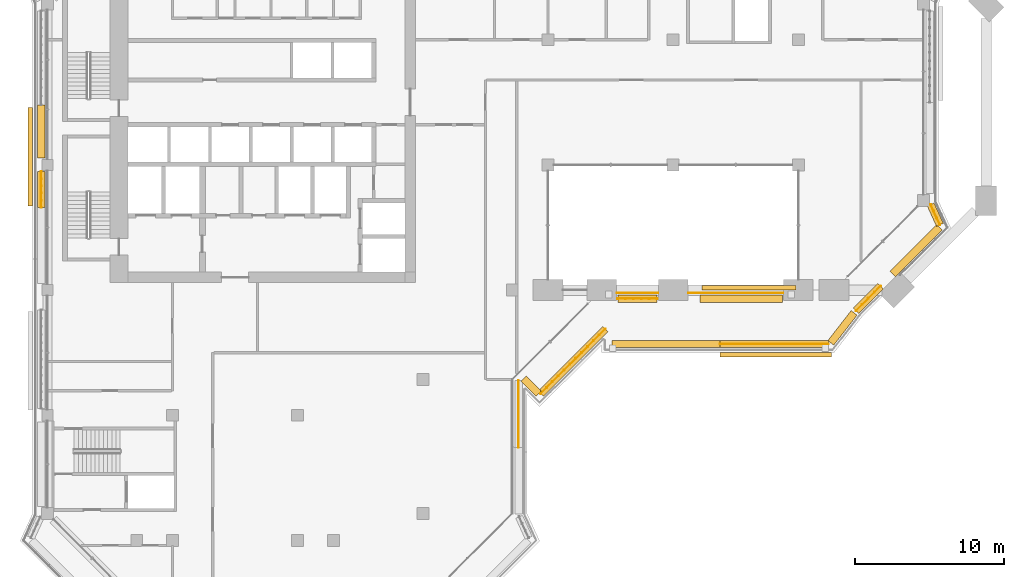
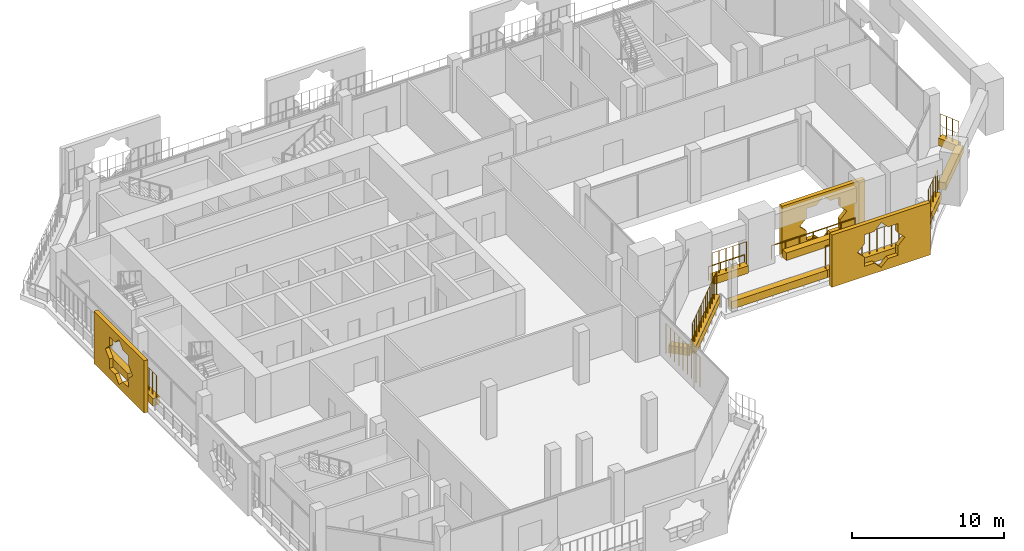
# One storey, part 19 of 23: 15 coverings, 9 railings.
"""IFC4 building model written with IfcOpenShell, lengths in metres."""

from ifc_helpers import new_model, si_unit, direction, frame, origin, origin_2d, place, context, subcontext, project, spatial, polyline, rectangle, circle, outline, extrude, material, material_profile, profile_set, type_object, element, save


model = new_model("IFC4")

# Units and contexts
model_context = context("Model", 3, precision=1e-05, world=origin(), true_north=direction((0.0, 1.0)))
body_context = subcontext(model_context, "Body", "Model", "MODEL_VIEW")
ifc_project = project(units=[si_unit("LENGTHUNIT", "METRE"), si_unit("AREAUNIT", "SQUARE_METRE"), si_unit("VOLUMEUNIT", "CUBIC_METRE"), si_unit("PLANEANGLEUNIT", "RADIAN"), si_unit("MASSUNIT", "GRAM", prefix="KILO")], contexts=[model_context])

# Site, building, storey
site_placement = place(None, origin())
site = spatial("IfcSite", under=ifc_project, at=site_placement, CompositionType="ELEMENT")
building_placement = place(site_placement, origin())
building = spatial("IfcBuilding", under=site, at=building_placement, Name="Kawkab Arch Medical Tower", CompositionType="ELEMENT")
storey_placement = place(building_placement, frame((0.0, 0.0, 281.800048828125)))
storey = spatial("IfcBuildingStorey", under=building, at=storey_placement, Name="L65", CompositionType="ELEMENT", Elevation=281.800048828125)

# Railings
ifc_material_1 = material(Name="Bronze anodised aluminium guard", Category="aluminium")
railing_type_1 = type_object("IfcRailingType", Name="Loggia and terrace guard 1100", PredefinedType="GUARDRAIL", material=ifc_material_1)
railing_1_placement = place(storey_placement, frame((38.22998046875, -25.39990234375, 0.0)))
element("IfcRailing", 1, at=railing_1_placement, inside=storey, type_object=railing_type_1, Name="Guard L65.LOG-01.1.1", PredefinedType="GUARDRAIL", context=body_context, shape_type="SweptSolid", body=[
    extrude(circle(Radius=0.02392578125, at=origin_2d()), frame((0.0, 0.0, 1.076171875), z_axis=(1.0, 0.0, 0.0), x_axis=(0.0, 1.0, 0.0)), (0.0, 0.0, 1.0), 2.739990234375),
    extrude(circle(Radius=0.02099609375, at=origin_2d()), origin(), (0.0, 0.0, 1.0), 1.052001953125),
    extrude(circle(Radius=0.02099609375, at=origin_2d()), frame((0.913330078125, 0.0, 0.0)), (0.0, 0.0, 1.0), 1.052001953125),
    extrude(circle(Radius=0.02099609375, at=origin_2d()), frame((1.82666015625, 0.0, 0.0)), (0.0, 0.0, 1.0), 1.052001953125),
    extrude(circle(Radius=0.02099609375, at=origin_2d()), frame((2.739990234375, 0.0, 0.0)), (0.0, 0.0, 1.0), 1.052001953125),
])
railing_2_placement = place(storey_placement, frame((43.030029296875, -25.39990234375, 0.0)))
element("IfcRailing", 2, at=railing_2_placement, inside=storey, type_object=railing_type_1, Name="Guard L65.LOG-01.1.2", PredefinedType="GUARDRAIL", context=body_context, shape_type="SweptSolid", body=[
    extrude(circle(Radius=0.02392578125, at=origin_2d()), frame((0.0, 0.0, 1.076171875), z_axis=(1.0, 0.0, 0.0), x_axis=(0.0, 1.0, 0.0)), (0.0, 0.0, 1.0), 6.340087890625),
    extrude(circle(Radius=0.02099609375, at=origin_2d()), origin(), (0.0, 0.0, 1.0), 1.052001953125),
    extrude(circle(Radius=0.02099609375, at=origin_2d()), frame((1.056640625, 0.0, 0.0)), (0.0, 0.0, 1.0), 1.052001953125),
    extrude(circle(Radius=0.02099609375, at=origin_2d()), frame((2.11328125, 0.0, 0.0)), (0.0, 0.0, 1.0), 1.052001953125),
    extrude(circle(Radius=0.02099609375, at=origin_2d()), frame((3.169921875, 0.0, 0.0)), (0.0, 0.0, 1.0), 1.052001953125),
    extrude(circle(Radius=0.02099609375, at=origin_2d()), frame((4.226806640625, 0.0, 0.0)), (0.0, 0.0, 1.0), 1.052001953125),
    extrude(circle(Radius=0.02099609375, at=origin_2d()), frame((5.283447265625, 0.0, 0.0)), (0.0, 0.0, 1.0), 1.052001953125),
    extrude(circle(Radius=0.02099609375, at=origin_2d()), frame((6.340087890625, 0.0, 0.0)), (0.0, 0.0, 1.0), 1.052001953125),
])

# Coverings
ifc_material_2 = material(Name="Bronze anodised aluminium mashrabiya panel, eight-point star pattern", Category="aluminium")
ifc_material_profile_1 = material_profile(ifc_material_2, outline(polyline([(-3.14990234375, -2.10009765625), (3.14990234375, -2.10009765625), (3.14990234375, 2.10009765625), (-3.14990234375, 2.10009765625), (-3.14990234375, -2.10009765625)]), holes=[polyline([(1.800048828125, 0.0), (1.272705078125, 0.527099609375), (1.272705078125, 1.272705078125), (0.527099609375, 1.272705078125), (0.0, 1.800048828125), (-0.527099609375, 1.272705078125), (-1.272705078125, 1.272705078125), (-1.272705078125, 0.527099609375), (-1.800048828125, 0.0), (-1.272705078125, -0.527099609375), (-1.272705078125, -1.272705078125), (-0.527099609375, -1.272705078125), (0.0, -1.800048828125), (0.527099609375, -1.272705078125), (1.272705078125, -1.272705078125), (1.272705078125, -0.527099609375), (1.800048828125, 0.0)])]), Name="Mashrabiya panel 6300x4200")
ifc_profile_set_1 = profile_set([ifc_material_profile_1], Name="Bronze anodised aluminium mashrabiya panel, eight-point star pattern")
covering_type_1 = type_object("IfcCoveringType", Name="Mashrabiya panel 6300 x 4200", PredefinedType="USERDEFINED", material=ifc_profile_set_1)
covering_1_placement = place(storey_placement, frame((47.0849609375, -25.199951171875, 1.699951171875), z_axis=(0.0, 1.0, 0.0), x_axis=(-1.0, 0.0, 0.0)))
element("IfcCovering", 3, at=covering_1_placement, inside=storey, type_object=covering_type_1, Name="Mashrabiya panel L65.LOG-01-01.1", ObjectType="SCREEN", PredefinedType="USERDEFINED", context=body_context, shape_type="SweptSolid", body=[
    extrude(outline(polyline([(-3.14990234375, -2.10009765625), (3.14990234375, -2.10009765625), (3.14990234375, 2.10009765625), (-3.14990234375, 2.10009765625), (-3.14990234375, -2.10009765625)]), holes=[polyline([(1.800048828125, 0.0), (1.272705078125, 0.527099609375), (1.272705078125, 1.272705078125), (0.527099609375, 1.272705078125), (0.0, 1.800048828125), (-0.527099609375, 1.272705078125), (-1.272705078125, 1.272705078125), (-1.272705078125, 0.527099609375), (-1.800048828125, 0.0), (-1.272705078125, -0.527099609375), (-1.272705078125, -1.272705078125), (-0.527099609375, -1.272705078125), (0.0, -1.800048828125), (0.527099609375, -1.272705078125), (1.272705078125, -1.272705078125), (1.272705078125, -0.527099609375), (1.800048828125, 0.0)])]), origin(), (0.0, 0.0, 1.0), 0.300048828125),
])
ifc_material_3 = material(Name="Bronze anodised aluminium mashrabiya panel, eight-point star pattern", Category="aluminium")
ifc_material_profile_2 = material_profile(ifc_material_3, outline(polyline([(-3.300048828125, -2.10009765625), (3.300048828125, -2.10009765625), (3.300048828125, 2.10009765625), (-3.300048828125, 2.10009765625), (-3.300048828125, -2.10009765625)]), holes=[polyline([(1.800048828125, 0.0), (1.272705078125, 0.527099609375), (1.272705078125, 1.272705078125), (0.527099609375, 1.272705078125), (0.0, 1.800048828125), (-0.527099609375, 1.272705078125), (-1.272705078125, 1.272705078125), (-1.272705078125, 0.527099609375), (-1.800048828125, 0.0), (-1.272705078125, -0.527099609375), (-1.272705078125, -1.272705078125), (-0.527099609375, -1.272705078125), (0.0, -1.800048828125), (0.527099609375, -1.272705078125), (1.272705078125, -1.272705078125), (1.272705078125, -0.527099609375), (1.800048828125, 0.0)])]), Name="Mashrabiya panel 6600x4200")
ifc_profile_set_2 = profile_set([ifc_material_profile_2], Name="Bronze anodised aluminium mashrabiya panel, eight-point star pattern")
covering_type_2 = type_object("IfcCoveringType", Name="Mashrabiya panel 6600 x 4200", PredefinedType="USERDEFINED", material=ifc_profile_set_2)
covering_2_placement = place(storey_placement, frame((-1.0, -16.259033203125, 1.699951171875), z_axis=(-1.0, 0.0, 0.0), x_axis=(0.0, -1.0, 0.0)))
element("IfcCovering", 4, at=covering_2_placement, inside=storey, type_object=covering_type_2, Name="Mashrabiya panel L65.LOG-01-02.2", ObjectType="SCREEN", PredefinedType="USERDEFINED", context=body_context, shape_type="SweptSolid", body=[
    extrude(outline(polyline([(-3.300048828125, -2.10009765625), (3.300048828125, -2.10009765625), (3.300048828125, 2.10009765625), (-3.300048828125, 2.10009765625), (-3.300048828125, -2.10009765625)]), holes=[polyline([(1.800048828125, 0.0), (1.272705078125, 0.527099609375), (1.272705078125, 1.272705078125), (0.527099609375, 1.272705078125), (0.0, 1.800048828125), (-0.527099609375, 1.272705078125), (-1.272705078125, 1.272705078125), (-1.272705078125, 0.527099609375), (-1.800048828125, 0.0), (-1.272705078125, -0.527099609375), (-1.272705078125, -1.272705078125), (-0.527099609375, -1.272705078125), (0.0, -1.800048828125), (0.527099609375, -1.272705078125), (1.272705078125, -1.272705078125), (1.272705078125, -0.527099609375), (1.800048828125, 0.0)])]), origin(), (0.0, 0.0, 1.0), 0.300048828125),
])
ifc_material_4 = material(Name="Bronze anodised aluminium mashrabiya panel, eight-point star pattern", Category="aluminium")
ifc_material_profile_3 = material_profile(ifc_material_4, outline(polyline([(-3.75, -2.10009765625), (3.75, -2.10009765625), (3.75, 2.10009765625), (-3.75, 2.10009765625), (-3.75, -2.10009765625)]), holes=[polyline([(1.800048828125, 0.0), (1.272705078125, 0.527099609375), (1.272705078125, 1.272705078125), (0.527099609375, 1.272705078125), (0.0, 1.800048828125), (-0.527099609375, 1.272705078125), (-1.272705078125, 1.272705078125), (-1.272705078125, 0.527099609375), (-1.800048828125, 0.0), (-1.272705078125, -0.527099609375), (-1.272705078125, -1.272705078125), (-0.527099609375, -1.272705078125), (0.0, -1.800048828125), (0.527099609375, -1.272705078125), (1.272705078125, -1.272705078125), (1.272705078125, -0.527099609375), (1.800048828125, 0.0)])]), Name="Mashrabiya panel 7500x4200")
ifc_profile_set_3 = profile_set([ifc_material_profile_3], Name="Bronze anodised aluminium mashrabiya panel, eight-point star pattern")
covering_type_3 = type_object("IfcCoveringType", Name="Mashrabiya panel 7500 x 4200", PredefinedType="USERDEFINED", material=ifc_profile_set_3)
covering_3_placement = place(storey_placement, frame((48.87890625, -29.39990234375, 1.699951171875), z_axis=(0.0, -1.0, 0.0), x_axis=(1.0, 0.0, 0.0)))
element("IfcCovering", 5, at=covering_3_placement, inside=storey, type_object=covering_type_3, Name="Mashrabiya panel L65.LOG-01-02.7", ObjectType="SCREEN", PredefinedType="USERDEFINED", context=body_context, shape_type="SweptSolid", body=[
    extrude(outline(polyline([(-3.75, -2.10009765625), (3.75, -2.10009765625), (3.75, 2.10009765625), (-3.75, 2.10009765625), (-3.75, -2.10009765625)]), holes=[polyline([(1.800048828125, 0.0), (1.272705078125, 0.527099609375), (1.272705078125, 1.272705078125), (0.527099609375, 1.272705078125), (0.0, 1.800048828125), (-0.527099609375, 1.272705078125), (-1.272705078125, 1.272705078125), (-1.272705078125, 0.527099609375), (-1.800048828125, 0.0), (-1.272705078125, -0.527099609375), (-1.272705078125, -1.272705078125), (-0.527099609375, -1.272705078125), (0.0, -1.800048828125), (0.527099609375, -1.272705078125), (1.272705078125, -1.272705078125), (1.272705078125, -0.527099609375), (1.800048828125, 0.0)])]), origin(), (0.0, 0.0, 1.0), 0.300048828125),
])
ifc_material_5 = material(Name="Planting soil in a precast trough", Category="concrete")
ifc_material_profile_4 = material_profile(ifc_material_5, rectangle(XDim=0.5, YDim=0.60009765625, at=origin_2d()), Name="Trough 500x600")
ifc_profile_set_4 = profile_set([ifc_material_profile_4], Name="Planting soil in a precast trough")
covering_type_4 = type_object("IfcCoveringType", Name="Planter trough 500 x 600", PredefinedType="USERDEFINED", material=ifc_profile_set_4)
covering_4_placement = place(storey_placement, frame((38.280029296875, -25.780029296875, 0.300048828125), z_axis=(1.0, 0.0, 0.0), x_axis=(0.0, 1.0, 0.0)))
element("IfcCovering", 6, at=covering_4_placement, inside=storey, type_object=covering_type_4, Name="Planter L65.LOG-01-01.1", ObjectType="PLANTER", PredefinedType="USERDEFINED", context=body_context, shape_type="SweptSolid", body=[
    extrude(rectangle(XDim=0.5, YDim=0.60009765625, at=origin_2d()), origin(), (0.0, 0.0, 1.0), 2.639892578125),
])
covering_5_placement = place(storey_placement, frame((43.800048828125, -25.780029296875, 0.300048828125), z_axis=(1.0, 0.0, 0.0), x_axis=(0.0, 1.0, 0.0)))
element("IfcCovering", 7, at=covering_5_placement, inside=storey, type_object=covering_type_4, Name="Planter L65.LOG-01-01.2", ObjectType="PLANTER", PredefinedType="USERDEFINED", context=body_context, shape_type="SweptSolid", body=[
    extrude(rectangle(XDim=0.5, YDim=0.60009765625, at=origin_2d()), origin(), (0.0, 0.0, 1.0), 5.52001953125),
])
covering_6_placement = place(storey_placement, frame((-0.419921875, -19.655029296875, 0.300048828125), z_axis=(0.0, 1.0, 0.0), x_axis=(-1.0, 0.0, 0.0)))
element("IfcCovering", 8, at=covering_6_placement, inside=storey, type_object=covering_type_4, Name="Planter L65.LOG-01-02.7", ObjectType="PLANTER", PredefinedType="USERDEFINED", context=body_context, shape_type="SweptSolid", body=[
    extrude(rectangle(XDim=0.5, YDim=0.60009765625, at=origin_2d()), origin(), (0.0, 0.0, 1.0), 2.402099609375),
])
covering_7_placement = place(storey_placement, frame((-0.419921875, -16.346923828125, 0.300048828125), z_axis=(0.0, 1.0, 0.0), x_axis=(-1.0, 0.0, 0.0)))
element("IfcCovering", 9, at=covering_7_placement, inside=storey, type_object=covering_type_4, Name="Planter L65.LOG-01-02.8", ObjectType="PLANTER", PredefinedType="USERDEFINED", context=body_context, shape_type="SweptSolid", body=[
    extrude(rectangle(XDim=0.5, YDim=0.60009765625, at=origin_2d()), origin(), (0.0, 0.0, 1.0), 3.5830078125),
])
covering_8_placement = place(storey_placement, frame((59.280029296875, -19.4580078125, 0.300048828125), z_axis=(0.415189748133, -0.909734836667, 0.0), x_axis=(0.909734836667, 0.415189748133, 0.0)))
element("IfcCovering", 10, at=covering_8_placement, inside=storey, type_object=covering_type_4, Name="Planter L65.LOG-01-02.25", ObjectType="PLANTER", PredefinedType="USERDEFINED", context=body_context, shape_type="SweptSolid", body=[
    extrude(rectangle(XDim=0.5, YDim=0.60009765625, at=origin_2d()), origin(), (0.0, 0.0, 1.0), 1.498291015625),
])
covering_9_placement = place(storey_placement, frame((59.873046875, -20.98291015625, 0.300048828125), z_axis=(-0.707079265698, -0.707134295604, 0.0), x_axis=(0.707134295604, -0.707079265698, 0.0)))
element("IfcCovering", 11, at=covering_9_placement, inside=storey, type_object=covering_type_4, Name="Planter L65.LOG-01-02.26", ObjectType="PLANTER", PredefinedType="USERDEFINED", context=body_context, shape_type="SweptSolid", body=[
    extrude(rectangle(XDim=0.5, YDim=0.60009765625, at=origin_2d()), origin(), (0.0, 0.0, 1.0), 4.4365234375),
])
covering_10_placement = place(storey_placement, frame((55.919921875, -24.93603515625, 0.300048828125), z_axis=(-0.707106781187, -0.707106781187, 0.0), x_axis=(0.707106781187, -0.707106781187, 0.0)))
element("IfcCovering", 12, at=covering_10_placement, inside=storey, type_object=covering_type_4, Name="Planter L65.LOG-01-02.27", ObjectType="PLANTER", PredefinedType="USERDEFINED", context=body_context, shape_type="SweptSolid", body=[
    extrude(rectangle(XDim=0.5, YDim=0.60009765625, at=origin_2d()), origin(), (0.0, 0.0, 1.0), 2.3291015625),
])
covering_11_placement = place(storey_placement, frame((54.14111328125, -26.73193359375, 0.300048828125), z_axis=(-0.614099956103, -0.789228258436, 0.0), x_axis=(0.789228258436, -0.614099956103, 0.0)))
element("IfcCovering", 13, at=covering_11_placement, inside=storey, type_object=covering_type_4, Name="Planter L65.LOG-01-02.28", ObjectType="PLANTER", PredefinedType="USERDEFINED", context=body_context, shape_type="SweptSolid", body=[
    extrude(rectangle(XDim=0.5, YDim=0.60009765625, at=origin_2d()), origin(), (0.0, 0.0, 1.0), 2.545654296875),
])
for number, where, z_axis, x_axis, name in (
    (14, (52.416015625, -28.820068359375, 0.300048828125), (-1.0, 0.0, 0.0), (0.0, -1.0, 0.0), "Planter L65.LOG-01-02.29"),
    (15, (45.14794921875, -28.820068359375, 0.300048828125), (-1.0, 0.0, 0.0), (0.0, -1.0, 0.0), "Planter L65.LOG-01-02.30"),
):
    element("IfcCovering", number, at=place(storey_placement, frame(where, z_axis=z_axis, x_axis=x_axis)), inside=storey, type_object=covering_type_4, Name=name, ObjectType="PLANTER", PredefinedType="USERDEFINED", context=body_context, shape_type="SweptSolid", body=[
        extrude(rectangle(XDim=0.5, YDim=0.60009765625, at=origin_2d()), origin(), (0.0, 0.0, 1.0), 7.26806640625),
    ])
covering_12_placement = place(storey_placement, frame((37.43701171875, -27.820068359375, 0.300048828125), z_axis=(-0.707206504313, -0.707007043994, 0.0), x_axis=(0.707007043994, -0.707206504313, 0.0)))
element("IfcCovering", 16, at=covering_12_placement, inside=storey, type_object=covering_type_4, Name="Planter L65.LOG-01-02.31", ObjectType="PLANTER", PredefinedType="USERDEFINED", context=body_context, shape_type="SweptSolid", body=[
    extrude(rectangle(XDim=0.5, YDim=0.60009765625, at=origin_2d()), origin(), (0.0, 0.0, 1.0), 6.1201171875),
])
covering_13_placement = place(storey_placement, frame((32.967041015625, -32.14697265625, 0.300048828125), z_axis=(-0.707192746389, 0.707020805532, 0.0), x_axis=(-0.707020805532, -0.707192746389, 0.0)))
element("IfcCovering", 17, at=covering_13_placement, inside=storey, type_object=covering_type_4, Name="Planter L65.LOG-01-02.32", ObjectType="PLANTER", PredefinedType="USERDEFINED", context=body_context, shape_type="SweptSolid", body=[
    extrude(rectangle(XDim=0.5, YDim=0.60009765625, at=origin_2d()), origin(), (0.0, 0.0, 1.0), 1.419921875),
])

# Railings
ifc_material_6 = material(Name="Bronze anodised aluminium trellis for climbing plants", Category="aluminium")
railing_type_2 = type_object("IfcRailingType", Name="Planting trellis 2400", PredefinedType="USERDEFINED", material=ifc_material_6)
railing_3_placement = place(storey_placement, frame((38.280029296875, -25.780029296875, 0.0)))
element("IfcRailing", 18, at=railing_3_placement, inside=storey, type_object=railing_type_2, Name="Planting trellis L65.LOG-01-01.1", ObjectType="TRELLIS", PredefinedType="USERDEFINED", context=body_context, shape_type="SweptSolid", body=[
    extrude(circle(Radius=0.01513671875, at=origin_2d()), frame((0.0, 0.0, 2.384765625), z_axis=(1.0, 0.0, 0.0), x_axis=(0.0, 1.0, 0.0)), (0.0, 0.0, 1.0), 2.639892578125),
    extrude(circle(Radius=0.030029296875, at=origin_2d()), origin(), (0.0, 0.0, 1.0), 2.369873046875),
    extrude(circle(Radius=0.030029296875, at=origin_2d()), frame((0.528076171875, 0.0, 0.0)), (0.0, 0.0, 1.0), 2.369873046875),
    extrude(circle(Radius=0.030029296875, at=origin_2d()), frame((1.055908203125, 0.0, 0.0)), (0.0, 0.0, 1.0), 2.369873046875),
    extrude(circle(Radius=0.030029296875, at=origin_2d()), frame((1.583984375, 0.0, 0.0)), (0.0, 0.0, 1.0), 2.369873046875),
    extrude(circle(Radius=0.030029296875, at=origin_2d()), frame((2.11181640625, 0.0, 0.0)), (0.0, 0.0, 1.0), 2.369873046875),
    extrude(circle(Radius=0.030029296875, at=origin_2d()), frame((2.639892578125, 0.0, 0.0)), (0.0, 0.0, 1.0), 2.369873046875),
])
railing_4_placement = place(storey_placement, frame((-0.419921875, -19.655029296875, 0.0)))
element("IfcRailing", 19, at=railing_4_placement, inside=storey, type_object=railing_type_2, Name="Planting trellis L65.LOG-01-02.7", ObjectType="TRELLIS", PredefinedType="USERDEFINED", context=body_context, shape_type="SweptSolid", body=[
    extrude(circle(Radius=0.01513671875, at=origin_2d()), frame((0.0, 0.0, 2.384765625), z_axis=(0.0, 1.0, 0.0), x_axis=(-1.0, 0.0, 0.0)), (0.0, 0.0, 1.0), 2.402099609375),
    extrude(circle(Radius=0.030029296875, at=origin_2d()), origin(), (0.0, 0.0, 1.0), 2.369873046875),
    extrude(circle(Radius=0.030029296875, at=origin_2d()), frame((0.0, 0.48046875, 0.0)), (0.0, 0.0, 1.0), 2.369873046875),
    extrude(circle(Radius=0.030029296875, at=origin_2d()), frame((0.0, 0.9609375, 0.0)), (0.0, 0.0, 1.0), 2.369873046875),
    extrude(circle(Radius=0.030029296875, at=origin_2d()), frame((0.0, 1.441162109375, 0.0)), (0.0, 0.0, 1.0), 2.369873046875),
    extrude(circle(Radius=0.030029296875, at=origin_2d()), frame((0.0, 1.921630859375, 0.0)), (0.0, 0.0, 1.0), 2.369873046875),
    extrude(circle(Radius=0.030029296875, at=origin_2d()), frame((0.0, 2.402099609375, 0.0)), (0.0, 0.0, 1.0), 2.369873046875),
])
railing_5_placement = place(storey_placement, frame((59.280029296875, -19.4580078125, 0.0)))
element("IfcRailing", 20, at=railing_5_placement, inside=storey, type_object=railing_type_2, Name="Planting trellis L65.LOG-01-02.25", ObjectType="TRELLIS", PredefinedType="USERDEFINED", context=body_context, shape_type="SweptSolid", body=[
    extrude(circle(Radius=0.01513671875, at=origin_2d()), frame((0.0, 0.0, 2.384765625), z_axis=(0.415189748133, -0.909734836667, 0.0), x_axis=(0.909734836667, 0.415189748133, 0.0)), (0.0, 0.0, 1.0), 1.498291015625),
    extrude(circle(Radius=0.030029296875, at=origin_2d()), origin(), (0.0, 0.0, 1.0), 2.369873046875),
    extrude(circle(Radius=0.030029296875, at=origin_2d()), frame((0.207275390625, -0.454345703125, 0.0)), (0.0, 0.0, 1.0), 2.369873046875),
    extrude(circle(Radius=0.030029296875, at=origin_2d()), frame((0.414794921875, -0.90869140625, 0.0)), (0.0, 0.0, 1.0), 2.369873046875),
    extrude(circle(Radius=0.030029296875, at=origin_2d()), frame((0.6220703125, -1.363037109375, 0.0)), (0.0, 0.0, 1.0), 2.369873046875),
])
railing_6_placement = place(storey_placement, frame((55.919921875, -24.93603515625, 0.0)))
element("IfcRailing", 21, at=railing_6_placement, inside=storey, type_object=railing_type_2, Name="Planting trellis L65.LOG-01-02.27", ObjectType="TRELLIS", PredefinedType="USERDEFINED", context=body_context, shape_type="SweptSolid", body=[
    extrude(circle(Radius=0.01513671875, at=origin_2d()), frame((0.0, 0.0, 2.384765625), z_axis=(-0.707106781187, -0.707106781187, 0.0), x_axis=(0.707106781187, -0.707106781187, 0.0)), (0.0, 0.0, 1.0), 2.3291015625),
    extrude(circle(Radius=0.030029296875, at=origin_2d()), origin(), (0.0, 0.0, 1.0), 2.369873046875),
    extrude(circle(Radius=0.030029296875, at=origin_2d()), frame((-0.41162109375, -0.41162109375, 0.0)), (0.0, 0.0, 1.0), 2.369873046875),
    extrude(circle(Radius=0.030029296875, at=origin_2d()), frame((-0.823486328125, -0.823486328125, 0.0)), (0.0, 0.0, 1.0), 2.369873046875),
    extrude(circle(Radius=0.030029296875, at=origin_2d()), frame((-1.2353515625, -1.2353515625, 0.0)), (0.0, 0.0, 1.0), 2.369873046875),
    extrude(circle(Radius=0.030029296875, at=origin_2d()), frame((-1.64697265625, -1.64697265625, 0.0)), (0.0, 0.0, 1.0), 2.369873046875),
])
railing_7_placement = place(storey_placement, frame((52.416015625, -28.820068359375, 0.0)))
element("IfcRailing", 22, at=railing_7_placement, inside=storey, type_object=railing_type_2, Name="Planting trellis L65.LOG-01-02.29", ObjectType="TRELLIS", PredefinedType="USERDEFINED", context=body_context, shape_type="SweptSolid", body=[
    extrude(circle(Radius=0.01513671875, at=origin_2d()), frame((0.0, 0.0, 2.384765625), z_axis=(-1.0, 0.0, 0.0), x_axis=(0.0, -1.0, 0.0)), (0.0, 0.0, 1.0), 7.26806640625),
    extrude(circle(Radius=0.030029296875, at=origin_2d()), origin(), (0.0, 0.0, 1.0), 2.369873046875),
    extrude(circle(Radius=0.030029296875, at=origin_2d()), frame((-0.55908203125, 0.0, 0.0)), (0.0, 0.0, 1.0), 2.369873046875),
    extrude(circle(Radius=0.030029296875, at=origin_2d()), frame((-1.1181640625, 0.0, 0.0)), (0.0, 0.0, 1.0), 2.369873046875),
    extrude(circle(Radius=0.030029296875, at=origin_2d()), frame((-1.67724609375, 0.0, 0.0)), (0.0, 0.0, 1.0), 2.369873046875),
    extrude(circle(Radius=0.030029296875, at=origin_2d()), frame((-2.236328125, 0.0, 0.0)), (0.0, 0.0, 1.0), 2.369873046875),
    extrude(circle(Radius=0.030029296875, at=origin_2d()), frame((-2.79541015625, 0.0, 0.0)), (0.0, 0.0, 1.0), 2.369873046875),
    extrude(circle(Radius=0.030029296875, at=origin_2d()), frame((-3.3544921875, 0.0, 0.0)), (0.0, 0.0, 1.0), 2.369873046875),
    extrude(circle(Radius=0.030029296875, at=origin_2d()), frame((-3.91357421875, 0.0, 0.0)), (0.0, 0.0, 1.0), 2.369873046875),
    extrude(circle(Radius=0.030029296875, at=origin_2d()), frame((-4.47265625, 0.0, 0.0)), (0.0, 0.0, 1.0), 2.369873046875),
    extrude(circle(Radius=0.030029296875, at=origin_2d()), frame((-5.03173828125, 0.0, 0.0)), (0.0, 0.0, 1.0), 2.369873046875),
    extrude(circle(Radius=0.030029296875, at=origin_2d()), frame((-5.5908203125, 0.0, 0.0)), (0.0, 0.0, 1.0), 2.369873046875),
    extrude(circle(Radius=0.030029296875, at=origin_2d()), frame((-6.14990234375, 0.0, 0.0)), (0.0, 0.0, 1.0), 2.369873046875),
    extrude(circle(Radius=0.030029296875, at=origin_2d()), frame((-6.708984375, 0.0, 0.0)), (0.0, 0.0, 1.0), 2.369873046875),
    extrude(circle(Radius=0.030029296875, at=origin_2d()), frame((-7.26806640625, 0.0, 0.0)), (0.0, 0.0, 1.0), 2.369873046875),
])
railing_8_placement = place(storey_placement, frame((37.43701171875, -27.820068359375, 0.0)))
element("IfcRailing", 23, at=railing_8_placement, inside=storey, type_object=railing_type_2, Name="Planting trellis L65.LOG-01-02.31", ObjectType="TRELLIS", PredefinedType="USERDEFINED", context=body_context, shape_type="SweptSolid", body=[
    extrude(circle(Radius=0.01513671875, at=origin_2d()), frame((0.0, 0.0, 2.384765625), z_axis=(-0.707206504313, -0.707007043994, 0.0), x_axis=(0.707007043994, -0.707206504313, 0.0)), (0.0, 0.0, 1.0), 6.1201171875),
    extrude(circle(Radius=0.030029296875, at=origin_2d()), origin(), (0.0, 0.0, 1.0), 2.369873046875),
    extrude(circle(Radius=0.030029296875, at=origin_2d()), frame((-0.3935546875, -0.393310546875, 0.0)), (0.0, 0.0, 1.0), 2.369873046875),
    extrude(circle(Radius=0.030029296875, at=origin_2d()), frame((-0.786865234375, -0.78662109375, 0.0)), (0.0, 0.0, 1.0), 2.369873046875),
    extrude(circle(Radius=0.030029296875, at=origin_2d()), frame((-1.180419921875, -1.18017578125, 0.0)), (0.0, 0.0, 1.0), 2.369873046875),
    extrude(circle(Radius=0.030029296875, at=origin_2d()), frame((-1.573974609375, -1.573486328125, 0.0)), (0.0, 0.0, 1.0), 2.369873046875),
    extrude(circle(Radius=0.030029296875, at=origin_2d()), frame((-1.96728515625, -1.966796875, 0.0)), (0.0, 0.0, 1.0), 2.369873046875),
    extrude(circle(Radius=0.030029296875, at=origin_2d()), frame((-2.36083984375, -2.360107421875, 0.0)), (0.0, 0.0, 1.0), 2.369873046875),
    extrude(circle(Radius=0.030029296875, at=origin_2d()), frame((-2.754150390625, -2.75341796875, 0.0)), (0.0, 0.0, 1.0), 2.369873046875),
    extrude(circle(Radius=0.030029296875, at=origin_2d()), frame((-3.147705078125, -3.146728515625, 0.0)), (0.0, 0.0, 1.0), 2.369873046875),
    extrude(circle(Radius=0.030029296875, at=origin_2d()), frame((-3.541259765625, -3.540283203125, 0.0)), (0.0, 0.0, 1.0), 2.369873046875),
    extrude(circle(Radius=0.030029296875, at=origin_2d()), frame((-3.9345703125, -3.93359375, 0.0)), (0.0, 0.0, 1.0), 2.369873046875),
    extrude(circle(Radius=0.030029296875, at=origin_2d()), frame((-4.328125, -4.326904296875, 0.0)), (0.0, 0.0, 1.0), 2.369873046875),
])
railing_9_placement = place(storey_placement, frame((31.6201171875, -31.284912109375, 0.0)))
element("IfcRailing", 24, at=railing_9_placement, inside=storey, type_object=railing_type_2, Name="Planting trellis L65.LOG-01-02.33", ObjectType="TRELLIS", PredefinedType="USERDEFINED", context=body_context, shape_type="SweptSolid", body=[
    extrude(circle(Radius=0.01513671875, at=origin_2d()), frame((0.0, 0.0, 2.384765625), z_axis=(0.0, -1.0, 0.0), x_axis=(1.0, 0.0, 0.0)), (0.0, 0.0, 1.0), 4.469970703125),
    extrude(circle(Radius=0.030029296875, at=origin_2d()), origin(), (0.0, 0.0, 1.0), 2.369873046875),
    extrude(circle(Radius=0.030029296875, at=origin_2d()), frame((0.0, -0.558837890625, 0.0)), (0.0, 0.0, 1.0), 2.369873046875),
    extrude(circle(Radius=0.030029296875, at=origin_2d()), frame((0.0, -1.117431640625, 0.0)), (0.0, 0.0, 1.0), 2.369873046875),
    extrude(circle(Radius=0.030029296875, at=origin_2d()), frame((0.0, -1.67626953125, 0.0)), (0.0, 0.0, 1.0), 2.369873046875),
    extrude(circle(Radius=0.030029296875, at=origin_2d()), frame((0.0, -2.23486328125, 0.0)), (0.0, 0.0, 1.0), 2.369873046875),
    extrude(circle(Radius=0.030029296875, at=origin_2d()), frame((0.0, -2.793701171875, 0.0)), (0.0, 0.0, 1.0), 2.369873046875),
    extrude(circle(Radius=0.030029296875, at=origin_2d()), frame((0.0, -3.3525390625, 0.0)), (0.0, 0.0, 1.0), 2.369873046875),
    extrude(circle(Radius=0.030029296875, at=origin_2d()), frame((0.0, -3.9111328125, 0.0)), (0.0, 0.0, 1.0), 2.369873046875),
    extrude(circle(Radius=0.030029296875, at=origin_2d()), frame((0.0, -4.469970703125, 0.0)), (0.0, 0.0, 1.0), 2.369873046875),
])

save(model, "model.ifc")
